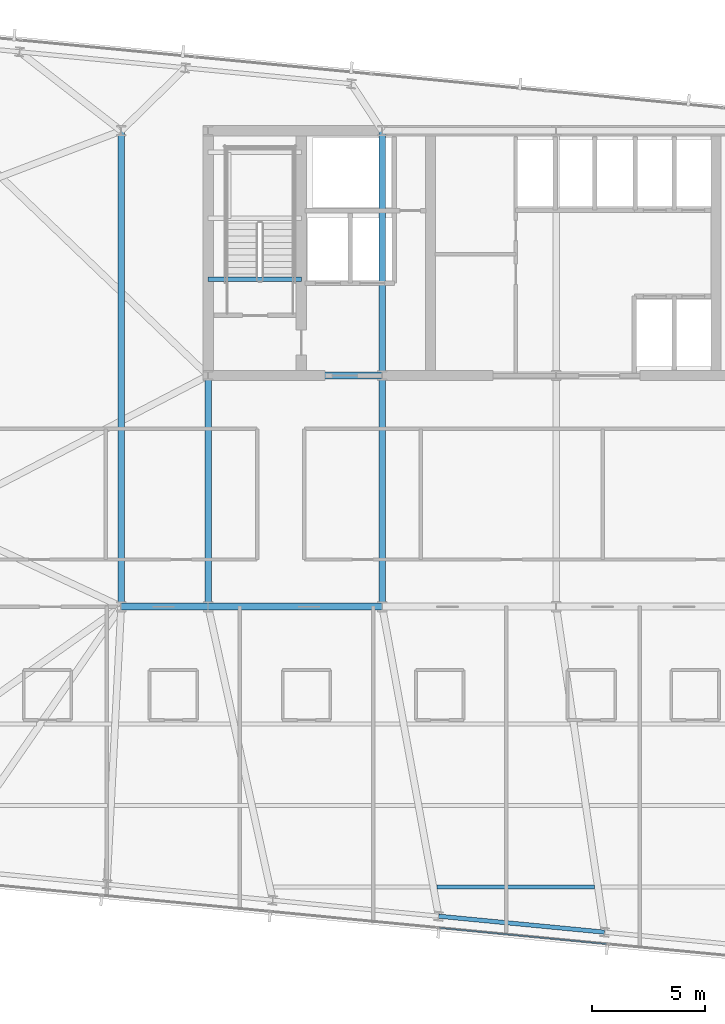
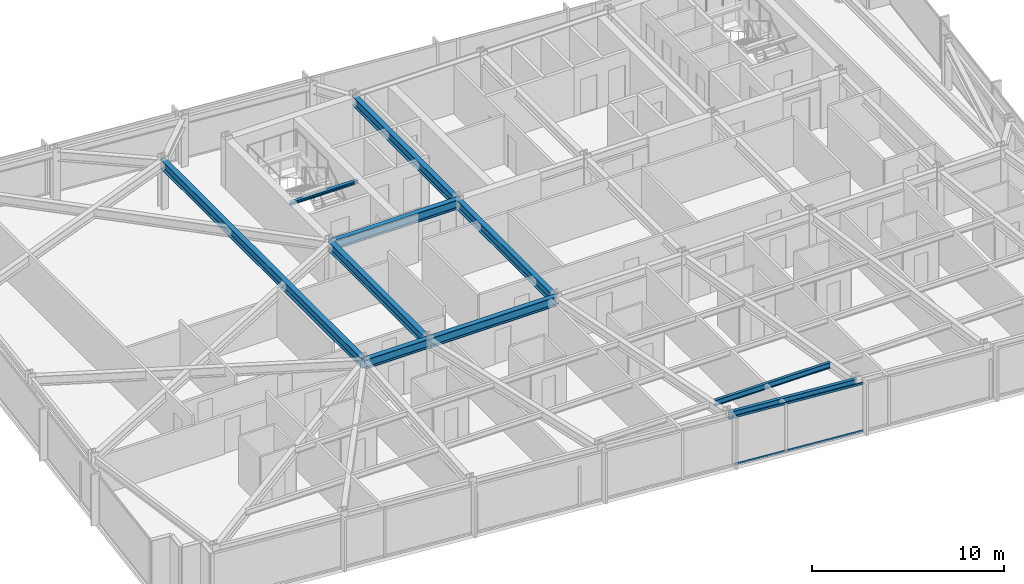
# One storey, part 11 of 37: 10 beams, 2 members, 1 element without a shape of its own.
"""IFC4 building model written with IfcOpenShell, lengths in metres."""

import ifcopenshell
import ifcopenshell.guid

model = None  # the IFC model being written
_history = None  # IfcOwnerHistory: only IFC2X3 demands one
_inside = {}  # id of a spatial element -> (the spatial element, [elements in it])
_under = {}  # id of a project, library or spatial element -> (it, [spatial elements below it])
_declared = {}  # id of a project -> (the project, [libraries it declares])
_typed = {}  # id of a type object -> (the type object, [elements of that type])
_made_of = {}  # id of a material, layer set ... -> (it, [elements and type objects made of it])


def new_model(schema):
    """Start an empty IFC model of exactly this schema.

    Asked for "IFC4X3", IfcOpenShell would pick the latest addendum, in which some entities
    have other attributes; the version numbers below select the first issue.
    IFC2X3 requires an IfcOwnerHistory on every rooted entity: one is made here for all.
    """
    global model, _history
    if schema == "IFC4X3":
        model = ifcopenshell.file(schema_version=(4, 3, 0, 0))
    else:
        model = ifcopenshell.file(schema=schema)
    _inside.clear()
    _under.clear()
    _declared.clear()
    _typed.clear()
    _made_of.clear()
    _history = None
    if model.schema == "IFC2X3":
        org = make("IfcOrganization", Name="unknown")
        user = make(
            "IfcPersonAndOrganization",
            ThePerson=make("IfcPerson", FamilyName="unknown"),
            TheOrganization=org,
        )
        app = make(
            "IfcApplication",
            ApplicationDeveloper=org,
            Version="unknown",
            ApplicationFullName="unknown",
            ApplicationIdentifier="unknown",
        )
        _history = make(
            "IfcOwnerHistory",
            OwningUser=user,
            OwningApplication=app,
            ChangeAction="ADDED",
            CreationDate=0,
        )
    return model


def make(cls, **values):
    """One entity of the class cls with the attributes given. An attribute that is None is left unset."""
    return model.create_entity(
        cls, **{name: value for name, value in values.items() if value is not None}
    )


def rooted(cls, **values):
    """An entity with a GlobalId (a new one), such as an element, a storey or a relation."""
    return make(cls, GlobalId=ifcopenshell.guid.new(), OwnerHistory=_history, **values)


def si_unit(unit_type, name, prefix=None):
    """IfcSIUnit, for example si_unit("LENGTHUNIT", "METRE", prefix="MILLI")."""
    return make("IfcSIUnit", UnitType=unit_type, Prefix=prefix, Name=name)


def assignment(units):
    """IfcUnitAssignment: the units of a project."""
    return None if units is None else make("IfcUnitAssignment", Units=units)


def point(xyz):
    """IfcCartesianPoint."""
    return None if xyz is None else make("IfcCartesianPoint", Coordinates=xyz)


def direction(xyz):
    """IfcDirection."""
    return None if xyz is None else make("IfcDirection", DirectionRatios=xyz)


def frame(location, z_axis=None, x_axis=None):
    """IfcAxis2Placement3D, a coordinate frame: its origin and axes. An axis left out is left unset."""
    return make(
        "IfcAxis2Placement3D",
        Location=point(location),
        Axis=direction(z_axis),
        RefDirection=direction(x_axis),
    )


def frame_2d(location, x_axis=None):
    """IfcAxis2Placement2D, a coordinate frame in the plane: its origin and x axis."""
    return make(
        "IfcAxis2Placement2D", Location=point(location), RefDirection=direction(x_axis)
    )


def origin():
    """The frame at (0, 0, 0) with its axes left unset."""
    return frame((0.0, 0.0, 0.0))


def origin_2d():
    """The frame at (0, 0) in the plane with its x axis left unset."""
    return frame_2d((0.0, 0.0))


def place(relative_to, where):
    """IfcLocalPlacement: puts the frame where relative to a parent placement (None: the world)."""
    return make(
        "IfcLocalPlacement", PlacementRelTo=relative_to, RelativePlacement=where
    )


def context(
    kind, dimensions, precision=None, world=None, true_north=None, identifier=None
):
    """IfcGeometricRepresentationContext, for example the 3D "Model" context."""
    return make(
        "IfcGeometricRepresentationContext",
        ContextIdentifier=identifier,
        ContextType=kind,
        CoordinateSpaceDimension=dimensions,
        Precision=precision,
        WorldCoordinateSystem=world,
        TrueNorth=true_north,
    )


def subcontext(parent, identifier, kind, view, scale=None):
    """IfcGeometricRepresentationSubContext, for example "Body" below "Model"."""
    return make(
        "IfcGeometricRepresentationSubContext",
        ContextIdentifier=identifier,
        ContextType=kind,
        ParentContext=parent,
        TargetScale=scale,
        TargetView=view,
    )


def project(units=None, contexts=None):
    """IfcProject with its units and contexts."""
    return rooted(
        "IfcProject",
        Name="project",
        RepresentationContexts=contexts,
        UnitsInContext=assignment(units),
    )


def spatial(cls, under=None, at=None, **own):
    """A site, building, storey or space (cls), placed at a placement, below another one or the project."""
    s = rooted(cls, ObjectPlacement=at, **own)
    if under is not None:
        _under.setdefault(under.id(), (under, []))[1].append(s)
    return s


def profile(cls, at=None, kind="AREA", **sizes):
    """A parametric profile (cls). Its sizes go by their IFC names, for example OverallWidth=200.0."""
    return make(cls, ProfileType=kind, Position=at, **sizes)


def hollow_rectangle(**sizes):
    """IfcRectangleHollowProfileDef."""
    return profile("IfcRectangleHollowProfileDef", **sizes)


def i_section(**sizes):
    """IfcIShapeProfileDef."""
    return profile("IfcIShapeProfileDef", **sizes)


def extrude(swept, where, along, depth):
    """IfcExtrudedAreaSolid: the profile swept, set in the frame where, extruded along a direction by depth."""
    return make(
        "IfcExtrudedAreaSolid",
        SweptArea=swept,
        Position=where,
        ExtrudedDirection=direction(along),
        Depth=depth,
    )


def shape(context_of_items, identifier, shape_type, items):
    """IfcShapeRepresentation: the items that make up one representation, for example the "Body"."""
    return make(
        "IfcShapeRepresentation",
        ContextOfItems=context_of_items,
        RepresentationIdentifier=identifier,
        RepresentationType=shape_type,
        Items=items,
    )


def material(Name=None, Category=None):
    """IfcMaterial."""
    return make("IfcMaterial", Name=Name, Category=Category)


def material_profile(
    of_material, cross_section, Name=None, Category=None, Priority=None
):
    """IfcMaterialProfile: a cross section and its material."""
    return make(
        "IfcMaterialProfile",
        Name=Name,
        Material=of_material,
        Profile=cross_section,
        Priority=Priority,
        Category=Category,
    )


def profile_set(profiles, Name=None, composite=None):
    """IfcMaterialProfileSet."""
    return make(
        "IfcMaterialProfileSet",
        Name=Name,
        MaterialProfiles=profiles,
        CompositeProfile=composite,
    )


def made_of(thing, what):
    """Note that an element or type object is made of a material, layer set ...; save() writes the relation."""
    if what is not None:
        _made_of.setdefault(what.id(), (what, []))[1].append(thing)
    return thing


def type_object(cls, material=None, **own):
    """A type object (cls), such as IfcWallType, which elements share."""
    return made_of(rooted(cls, **own), material)


def element(
    cls,
    number,
    at=None,
    inside=None,
    cuts=None,
    type_object=None,
    material=None,
    context=None,
    identifier="Body",
    shape_type=None,
    held_by="IfcProductDefinitionShape",
    body=None,
    shapes=None,
    **own,
):
    """One element of the class cls, such as IfcWall. Its Tag is "e" and its number.

    at: its placement. inside: the storey or other place that contains it. cuts: it is an
    opening in that element (IfcRelVoidsElement). A single representation is given by context,
    identifier, shape_type and body (its items); several are given by shapes. held_by: the class
    of the entity that holds the representations. save() writes the other relations.
    """
    e = rooted(cls, Tag="e%d" % number, ObjectPlacement=at, **own)
    if body is not None:
        shapes = [shape(context, identifier, shape_type, body)]
    if shapes is not None:
        e.Representation = make(held_by, Representations=shapes)
    if inside is not None:
        _inside.setdefault(inside.id(), (inside, []))[1].append(e)
    if cuts is not None:
        rooted(
            "IfcRelVoidsElement", RelatingBuildingElement=cuts, RelatedOpeningElement=e
        )
    if type_object is not None:
        _typed.setdefault(type_object.id(), (type_object, []))[1].append(e)
    return made_of(e, material)


def aggregate(whole, parts):
    """IfcRelAggregates: a whole, such as a stair, and the parts it consists of."""
    return rooted("IfcRelAggregates", RelatingObject=whole, RelatedObjects=parts)


def save(model, path):
    """Write the relations noted so far, then the file.

    IfcRelAggregates (storeys below a building ...), IfcRelContainedInSpatialStructure (elements
    in a storey), IfcRelDefinesByType, IfcRelAssociatesMaterial and IfcRelDeclares: one each for
    every whole, place, type object, material and project.
    """
    for whole, parts in _under.values():
        aggregate(whole, parts)
    for where, things in _inside.values():
        rooted(
            "IfcRelContainedInSpatialStructure",
            RelatedElements=things,
            RelatingStructure=where,
        )
    for kind, things in _typed.values():
        rooted("IfcRelDefinesByType", RelatedObjects=things, RelatingType=kind)
    for what, things in _made_of.values():
        rooted("IfcRelAssociatesMaterial", RelatedObjects=things, RelatingMaterial=what)
    for by, libraries in _declared.values():
        rooted("IfcRelDeclares", RelatingContext=by, RelatedDefinitions=libraries)
    model.write(path)


model = new_model("IFC4")

# Units and contexts
model_context = context("Model", 3, precision=1e-05, world=origin(), true_north=direction((0.0, 1.0)))
body_context = subcontext(model_context, "Body", "Model", "MODEL_VIEW")
ifc_project = project(units=[si_unit("LENGTHUNIT", "METRE"), si_unit("AREAUNIT", "SQUARE_METRE"), si_unit("VOLUMEUNIT", "CUBIC_METRE"), si_unit("PLANEANGLEUNIT", "RADIAN"), si_unit("MASSUNIT", "GRAM", prefix="KILO")], contexts=[model_context])

# Site, building, storey
site_placement = place(None, origin())
site = spatial("IfcSite", under=ifc_project, at=site_placement, CompositionType="ELEMENT")
building_placement = place(site_placement, origin())
building = spatial("IfcBuilding", under=site, at=building_placement, Name="Yelkora Congress Tower", CompositionType="ELEMENT")
storey_placement = place(building_placement, frame((0.0, 0.0, 162.199951171875)))
storey = spatial("IfcBuildingStorey", under=building, at=storey_placement, Name="L44", CompositionType="ELEMENT", Elevation=162.199951171875)

# Beams
ifc_material_1 = material(Name="Steel S355J2", Category="steel")
ifc_material_profile_1 = material_profile(ifc_material_1, i_section(OverallWidth=0.300048828125, OverallDepth=0.60009765625, WebThickness=0.015380859375, FlangeThickness=0.030029296875, FilletRadius=0.027099609375, at=origin_2d()), Name="HEB 600")
ifc_profile_set_1 = profile_set([ifc_material_profile_1], Name="Steel S355J2")
beam_type_1 = type_object("IfcBeamType", Name="BM-GIRD-HEB600", PredefinedType="BEAM", material=ifc_profile_set_1)
beam_1_placement = place(storey_placement, frame((19.199951171875, 25.199951171875, 2.780029296875), z_axis=(1.0, 0.0, 0.0), x_axis=(0.0, 1.0, 0.0)))
element("IfcBeam", 1, at=beam_1_placement, inside=storey, type_object=beam_type_1, Name="L44 Spine Grid D Girder 1", PredefinedType="BEAM", context=body_context, shape_type="SweptSolid", body=[
    extrude(i_section(OverallWidth=0.300048828125, OverallDepth=0.60009765625, WebThickness=0.015380859375, FlangeThickness=0.030029296875, FilletRadius=0.027099609375, at=origin_2d()), origin(), (0.0, 0.0, 1.0), 3.840087890625),
])
for number, where, z_axis, x_axis, name in (
    (2, (23.0400390625, 25.199951171875, 2.780029296875), (1.0, 0.0, 0.0), (0.0, 1.0, 0.0), "L44 Spine Grid D Girder 2"),
    (3, (23.0400390625, 35.39990234375, 2.780029296875), (1.0, 0.0, 0.0), (0.0, 1.0, 0.0), "L44 Core South Girder 1"),
):
    element("IfcBeam", number, at=place(storey_placement, frame(where, z_axis=z_axis, x_axis=x_axis)), inside=storey, type_object=beam_type_1, Name=name, PredefinedType="BEAM", context=body_context, shape_type="SweptSolid", body=[
        extrude(i_section(OverallWidth=0.300048828125, OverallDepth=0.60009765625, WebThickness=0.015380859375, FlangeThickness=0.030029296875, FilletRadius=0.027099609375, at=origin_2d()), origin(), (0.0, 0.0, 1.0), 7.679931640625),
    ])
for number, where, z_axis, x_axis, name in (
    (4, (23.0400390625, 25.199951171875, 2.780029296875), (0.0, 1.0, 0.0), (-1.0, 0.0, 0.0), "L44 Core Tie Girder MC-D1"),
    (5, (30.719970703125, 25.199951171875, 2.780029296875), (0.0, 1.0, 0.0), (-1.0, 0.0, 0.0), "L44 Core Tie Girder MC-D2"),
):
    element("IfcBeam", number, at=place(storey_placement, frame(where, z_axis=z_axis, x_axis=x_axis)), inside=storey, type_object=beam_type_1, Name=name, PredefinedType="BEAM", context=body_context, shape_type="SweptSolid", body=[
        extrude(i_section(OverallWidth=0.300048828125, OverallDepth=0.60009765625, WebThickness=0.015380859375, FlangeThickness=0.030029296875, FilletRadius=0.027099609375, at=origin_2d()), origin(), (0.0, 0.0, 1.0), 10.199951171875),
    ])
beam_2_placement = place(storey_placement, frame((30.719970703125, 35.39990234375, 2.780029296875), z_axis=(0.0, 1.0, 0.0), x_axis=(-1.0, 0.0, 0.0)))
element("IfcBeam", 6, at=beam_2_placement, inside=storey, type_object=beam_type_1, Name="L44 Core Tie Girder MC-S2", PredefinedType="BEAM", context=body_context, shape_type="SweptSolid", body=[
    extrude(i_section(OverallWidth=0.300048828125, OverallDepth=0.60009765625, WebThickness=0.015380859375, FlangeThickness=0.030029296875, FilletRadius=0.027099609375, at=origin_2d()), origin(), (0.0, 0.0, 1.0), 10.800048828125),
])
beam_3_placement = place(storey_placement, frame((19.199951171875, 25.199951171875, 2.780029296875), z_axis=(0.0, 1.0, 0.0), x_axis=(-1.0, 0.0, 0.0)))
element("IfcBeam", 7, at=beam_3_placement, inside=storey, type_object=beam_type_1, Name="L44 Neck Flank Girder MC-F1", PredefinedType="BEAM", context=body_context, shape_type="SweptSolid", body=[
    extrude(i_section(OverallWidth=0.300048828125, OverallDepth=0.60009765625, WebThickness=0.015380859375, FlangeThickness=0.030029296875, FilletRadius=0.027099609375, at=origin_2d()), origin(), (0.0, 0.0, 1.0), 21.0),
])
ifc_material_profile_2 = material_profile(ifc_material_1, i_section(OverallWidth=0.169921875, OverallDepth=0.360107421875, WebThickness=0.008056640625, FlangeThickness=0.0126953125, FilletRadius=0.01806640625, at=origin_2d()), Name="IPE 360")
ifc_profile_set_2 = profile_set([ifc_material_profile_2], Name="Steel S355J2")
beam_type_2 = type_object("IfcBeamType", Name="BM-JOIST-IPE360", PredefinedType="JOIST", material=ifc_profile_set_2)
beam_4_placement = place(storey_placement, frame((33.137939453125, 12.8212890625, 2.900146484375), z_axis=(1.0, 0.0, 0.0), x_axis=(0.0, 1.0, 0.0)))
element("IfcBeam", 8, at=beam_4_placement, inside=storey, type_object=beam_type_2, Name="L44 Composite Floor Joist 2", PredefinedType="JOIST", context=body_context, shape_type="SweptSolid", body=[
    extrude(i_section(OverallWidth=0.169921875, OverallDepth=0.360107421875, WebThickness=0.008056640625, FlangeThickness=0.0126953125, FilletRadius=0.01806640625, at=origin_2d()), origin(), (0.0, 0.0, 1.0), 6.94189453125),
])
ifc_material_profile_3 = material_profile(ifc_material_1, i_section(OverallWidth=0.199951171875, OverallDepth=0.18994140625, WebThickness=0.006591796875, FlangeThickness=0.010009765625, FilletRadius=0.01806640625, at=origin_2d()), Name="HEA 200")
ifc_profile_set_3 = profile_set([ifc_material_profile_3], Name="Steel S355J2")
beam_type_3 = type_object("IfcBeamType", Name="BM-LAND-HEA200", PredefinedType="BEAM", material=ifc_profile_set_3)
beam_5_placement = place(storey_placement, frame((23.0400390625, 39.639892578125, 2.85400390625), z_axis=(1.0, 0.0, 0.0), x_axis=(0.0, 1.0, 0.0)))
element("IfcBeam", 9, at=beam_5_placement, inside=storey, type_object=beam_type_3, Name="ST-01 L44 Floor Arrival Stringer Header Beam", PredefinedType="BEAM", context=body_context, shape_type="SweptSolid", body=[
    extrude(i_section(OverallWidth=0.199951171875, OverallDepth=0.18994140625, WebThickness=0.006591796875, FlangeThickness=0.010009765625, FilletRadius=0.01806640625, at=origin_2d()), origin(), (0.0, 0.0, 1.0), 4.10986328125),
])
ifc_material_profile_4 = material_profile(ifc_material_1, i_section(OverallWidth=0.18994140625, OverallDepth=0.449951171875, WebThickness=0.009521484375, FlangeThickness=0.0146484375, FilletRadius=0.02099609375, at=origin_2d()), Name="IPE 450")
ifc_profile_set_4 = profile_set([ifc_material_profile_4], Name="Steel S355J2")
beam_type_4 = type_object("IfcBeamType", Name="BM-SPAN-IPE450", PredefinedType="SPANDREL", material=ifc_profile_set_4)
beam_6_placement = place(storey_placement, frame((33.21240234375, 11.53662109375, 2.85498046875), z_axis=(0.995397104697, -0.095836339457, 0.0), x_axis=(0.095836339457, 0.995397104697, 0.0)))
element("IfcBeam", 10, at=beam_6_placement, inside=storey, type_object=beam_type_4, Name="L44 Perimeter Beam 6", PredefinedType="SPANDREL", context=body_context, shape_type="SweptSolid", body=[
    extrude(i_section(OverallWidth=0.18994140625, OverallDepth=0.449951171875, WebThickness=0.009521484375, FlangeThickness=0.0146484375, FilletRadius=0.02099609375, at=origin_2d()), origin(), (0.0, 0.0, 1.0), 7.357177734375),
])

# Curtain wall, members
ifc_material_2 = material(Name="Anodised aluminium and insulated glass", Category="aluminium")
curtain_wall_type = type_object("IfcCurtainWallType", Name="CW-SYS-B3", PredefinedType="NOTDEFINED", material=ifc_material_2)
curtain_wall_placement = place(storey_placement, origin())
curtain_wall = element("IfcCurtainWall", 11, at=curtain_wall_placement, inside=storey, type_object=curtain_wall_type, Name="L44 Unitised Curtain Wall 20", PredefinedType="NOTDEFINED")
ifc_material_3 = material(Name="Anodised aluminium 6063-T6", Category="aluminium")
ifc_material_profile_5 = material_profile(ifc_material_3, hollow_rectangle(XDim=0.06005859375, YDim=0.1298828125, WallThickness=0.00390625, at=origin_2d()), Name="ALU 60x130x4")
ifc_profile_set_5 = profile_set([ifc_material_profile_5], Name="Anodised aluminium 6063-T6")
member_type = type_object("IfcMemberType", Name="MEM-TR-B3", PredefinedType="USERDEFINED", material=ifc_profile_set_5)
member_1_placement = place(storey_placement, frame((40.626708984375, 10.310302734375, 0.030029296875), z_axis=(-0.99539548672, 0.095853142967, 0.0), x_axis=(-0.095853142967, -0.99539548672, 0.0)))
member_1 = element("IfcMember", 12, at=member_1_placement, type_object=member_type, Name="CW-B3 transom 3.1", ObjectType="TRANSOM", PredefinedType="USERDEFINED", context=body_context, shape_type="SweptSolid", body=[
    extrude(hollow_rectangle(XDim=0.06005859375, YDim=0.1298828125, WallThickness=0.00390625, at=origin_2d()), origin(), (0.0, 0.0, 1.0), 7.404296875),
])
member_2_placement = place(storey_placement, frame((40.626708984375, 10.310302734375, 3.050048828125), z_axis=(-0.99539548672, 0.095853142967, 0.0), x_axis=(-0.095853142967, -0.99539548672, 0.0)))
member_2 = element("IfcMember", 13, at=member_2_placement, type_object=member_type, Name="CW-B3 transom 3.2", ObjectType="TRANSOM", PredefinedType="USERDEFINED", context=body_context, shape_type="SweptSolid", body=[
    extrude(hollow_rectangle(XDim=0.06005859375, YDim=0.1298828125, WallThickness=0.00390625, at=origin_2d()), origin(), (0.0, 0.0, 1.0), 7.404296875),
])
aggregate(curtain_wall, [member_1, member_2])

save(model, "model.ifc")
